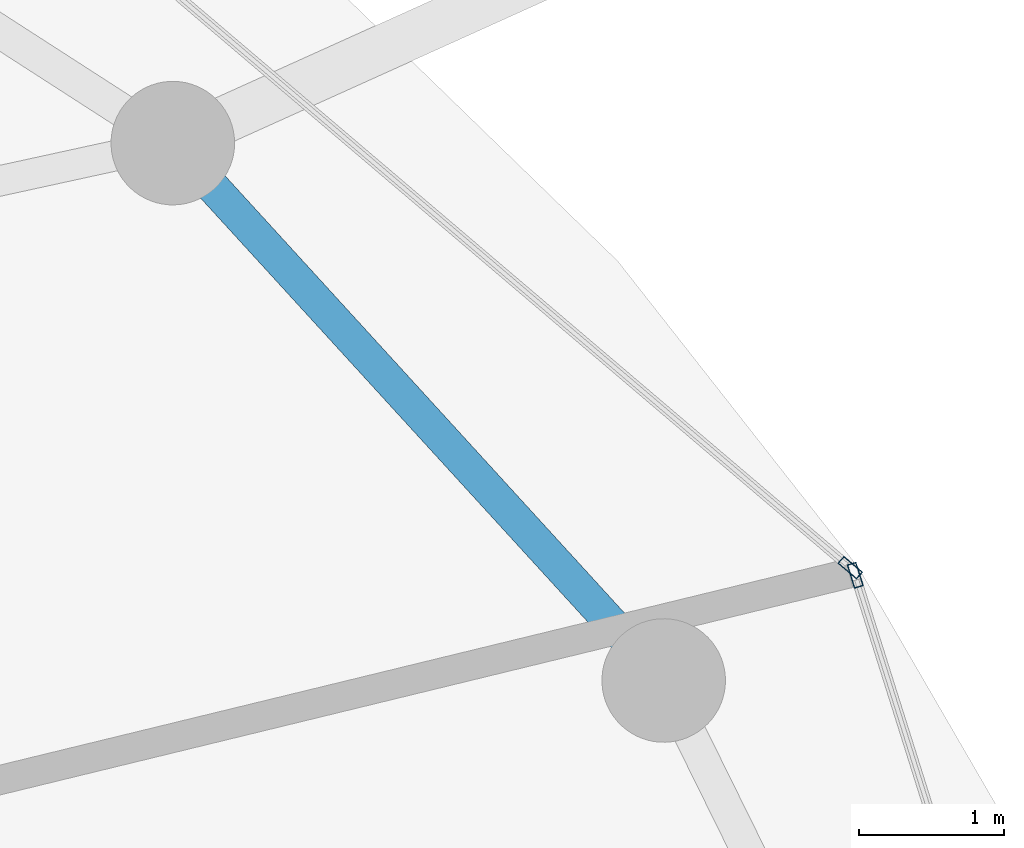
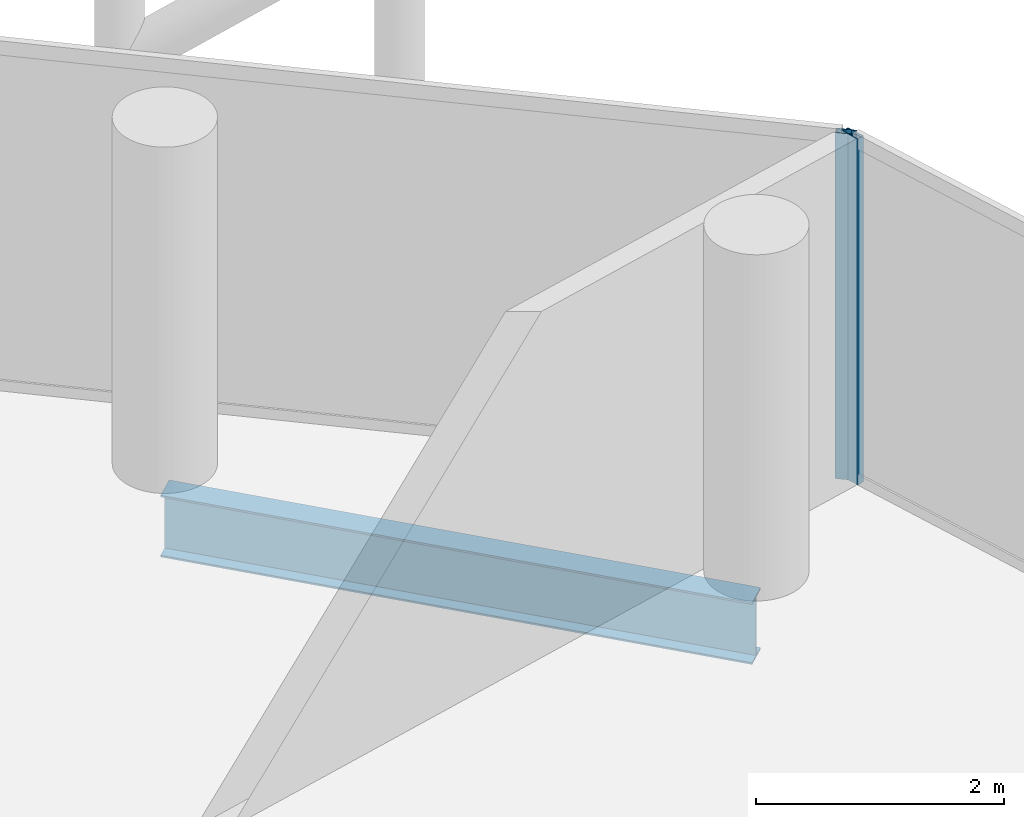
# One storey, part 17 of 27: 2 members, 1 beam, 2 elements without a shape of their own.
"""IFC4 building model written with IfcOpenShell, lengths in metres."""

from ifc_helpers import new_model, si_unit, direction, frame, origin, origin_2d, place, context, subcontext, project, spatial, hollow_rectangle, i_section, extrude, material, layer, layer_set, material_profile, profile_set, type_object, element, aggregate, save


model = new_model("IFC4")

# Units and contexts
model_context = context("Model", 3, precision=1e-05, world=origin(), true_north=direction((0.0, 1.0)))
body_context = subcontext(model_context, "Body", "Model", "MODEL_VIEW")
ifc_project = project(units=[si_unit("LENGTHUNIT", "METRE"), si_unit("AREAUNIT", "SQUARE_METRE"), si_unit("VOLUMEUNIT", "CUBIC_METRE"), si_unit("PLANEANGLEUNIT", "RADIAN"), si_unit("MASSUNIT", "GRAM", prefix="KILO")], contexts=[model_context])

# Site, building, storey
site_placement = place(None, origin())
site = spatial("IfcSite", under=ifc_project, at=site_placement, CompositionType="ELEMENT")
building_placement = place(site_placement, origin())
building = spatial("IfcBuilding", under=site, at=building_placement, Name="Nuhasar Tower", CompositionType="ELEMENT")
storey_placement = place(building_placement, frame((0.0, 0.0, 226.39990234375)))
storey = spatial("IfcBuildingStorey", under=building, at=storey_placement, Name="L55", CompositionType="ELEMENT", Elevation=226.39990234375)

# Beam
ifc_material_1 = material(Name="Steel S355", Category="steel")
ifc_material_profile_1 = material_profile(ifc_material_1, i_section(OverallWidth=0.22802734375, OverallDepth=0.60791015625, WebThickness=0.01123046875, FlangeThickness=0.017333984375, at=origin_2d()), Name="W24X76")
ifc_profile_set_1 = profile_set([ifc_material_profile_1], Name="Steel S355")
beam_type = type_object("IfcBeamType", Name="BM-RING-W24X76", PredefinedType="SPANDREL", material=ifc_profile_set_1)
beam_placement = place(storey_placement, frame((57.403076171875, 35.72509765625, -0.5439453125), z_axis=(-0.674449692975, 0.738320805373, 0.0), x_axis=(-0.738320805373, -0.674449692975, 0.0)))
element("IfcBeam", 1, at=beam_placement, inside=storey, type_object=beam_type, Name="L55 Perimeter Ring Spandrel 03", PredefinedType="SPANDREL", context=body_context, shape_type="SweptSolid", body=[
    extrude(i_section(OverallWidth=0.22802734375, OverallDepth=0.60791015625, WebThickness=0.01123046875, FlangeThickness=0.017333984375, at=origin_2d()), origin(), (0.0, 0.0, 1.0), 5.00732421875),
])

# Curtain wall, member
ifc_material_2 = material(Name="Aluminium 6063-T6", Category="aluminium")
ifc_layer = layer(ifc_material_2, 0.18994140625)
ifc_layer_set = layer_set([ifc_layer], Name="Aluminium 6063-T6")
curtain_wall_type = type_object("IfcCurtainWallType", Name="CW-Z3-RES", PredefinedType="NOTDEFINED", material=ifc_layer_set)
curtain_wall_1_placement = place(storey_placement, origin())
curtain_wall_1 = element("IfcCurtainWall", 2, at=curtain_wall_1_placement, inside=storey, type_object=curtain_wall_type, Name="L55 Unitised Curtain Wall 01", PredefinedType="NOTDEFINED")
ifc_material_profile_2 = material_profile(ifc_material_2, hollow_rectangle(XDim=0.06494140625, YDim=0.169921875, WallThickness=0.0048828125, at=origin_2d()), Name="CWM-4")
ifc_profile_set_2 = profile_set([ifc_material_profile_2], Name="Aluminium 6063-T6")
member_type = type_object("IfcMemberType", Name="CW-MUL-S4", PredefinedType="MULLION", material=ifc_profile_set_2)
member_1_placement = place(storey_placement, frame((58.720703125, 36.448974609375, 0.0), z_axis=(0.0, 0.0, 1.0), x_axis=(-0.95380429279, -0.30042864553, 0.0)))
member_1 = element("IfcMember", 3, at=member_1_placement, type_object=member_type, Name="CW-Z3 mullion 2", PredefinedType="MULLION", context=body_context, shape_type="SweptSolid", body=[
    extrude(hollow_rectangle(XDim=0.06494140625, YDim=0.169921875, WallThickness=0.0048828125, at=origin_2d()), origin(), (0.0, 0.0, 1.0), 3.41015625),
])
aggregate(curtain_wall_1, [member_1])

curtain_wall_2_placement = place(storey_placement, origin())
curtain_wall_2 = element("IfcCurtainWall", 4, at=curtain_wall_2_placement, inside=storey, type_object=curtain_wall_type, Name="L55 Unitised Curtain Wall 02", PredefinedType="NOTDEFINED")
member_2_placement = place(storey_placement, frame((58.686279296875, 36.5009765625, 0.0), z_axis=(0.0, 0.0, 1.0), x_axis=(-0.64789521578, -0.761729472562, 0.0)))
member_2 = element("IfcMember", 5, at=member_2_placement, type_object=member_type, Name="CW-Z3 mullion 1", PredefinedType="MULLION", context=body_context, shape_type="SweptSolid", body=[
    extrude(hollow_rectangle(XDim=0.06494140625, YDim=0.169921875, WallThickness=0.0048828125, at=origin_2d()), origin(), (0.0, 0.0, 1.0), 3.41015625),
])
aggregate(curtain_wall_2, [member_2])

save(model, "model.ifc")
